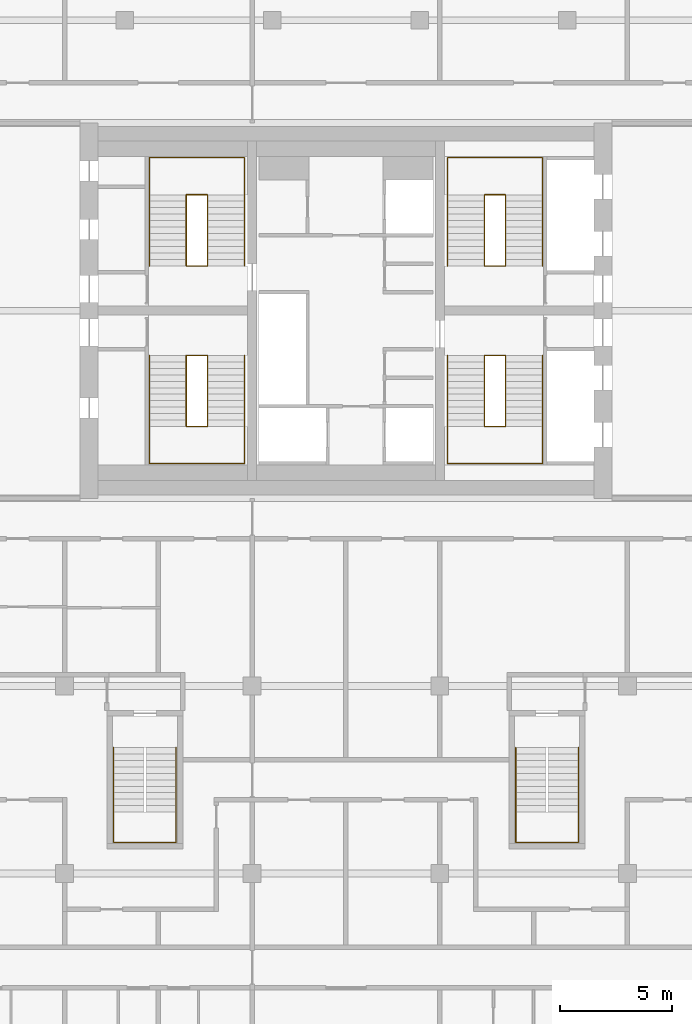
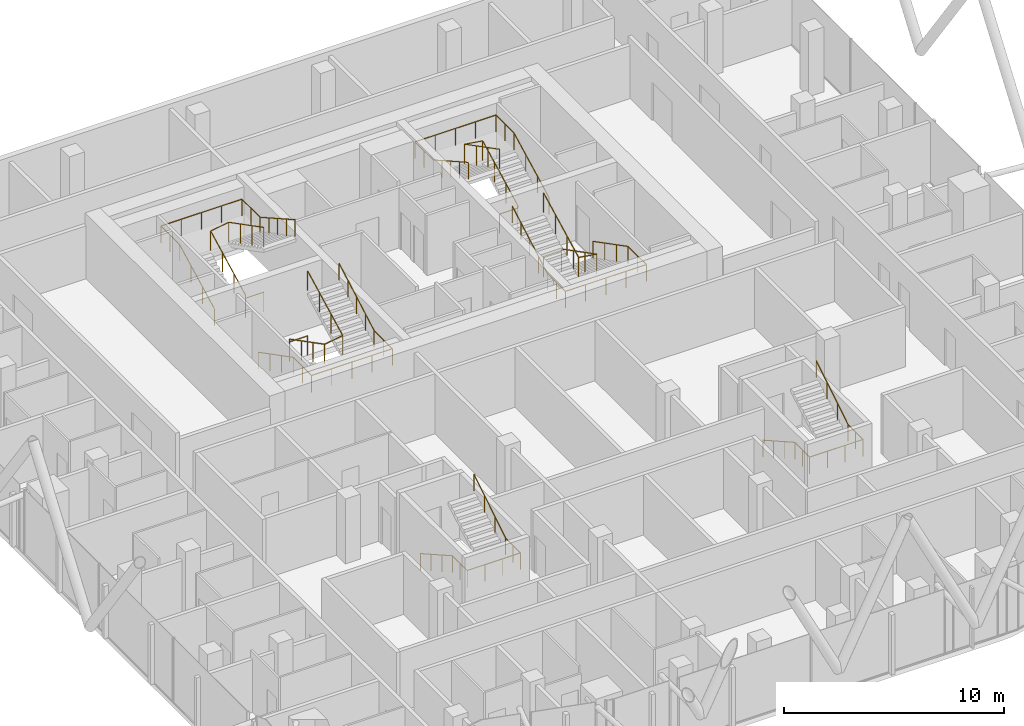
# One storey, part 31 of 31: 10 railings.
"""IFC4 building model written with IfcOpenShell, lengths in metres."""

from ifc_helpers import new_model, si_unit, direction, frame, origin, origin_2d, place, context, subcontext, project, spatial, circle, extrude, material, type_object, element, save


model = new_model("IFC4")

# Units and contexts
model_context = context("Model", 3, precision=1e-05, world=origin(), true_north=direction((0.0, 1.0)))
body_context = subcontext(model_context, "Body", "Model", "MODEL_VIEW")
ifc_project = project(units=[si_unit("LENGTHUNIT", "METRE"), si_unit("AREAUNIT", "SQUARE_METRE"), si_unit("VOLUMEUNIT", "CUBIC_METRE"), si_unit("PLANEANGLEUNIT", "RADIAN"), si_unit("MASSUNIT", "GRAM", prefix="KILO")], contexts=[model_context])

# Site, building, storey
site_placement = place(None, origin())
site = spatial("IfcSite", under=ifc_project, at=site_placement, CompositionType="ELEMENT")
building_placement = place(site_placement, origin())
building = spatial("IfcBuilding", under=site, at=building_placement, Name="Marenta Gate Hotel Tower", CompositionType="ELEMENT")
storey_placement = place(building_placement, frame((0.0, 0.0, 191.300048828125)))
storey = spatial("IfcBuildingStorey", under=building, at=storey_placement, Name="L43", CompositionType="ELEMENT", Elevation=191.300048828125)

# Railings
ifc_material_1 = material(Name="Stainless steel", Category="steel")
railing_type_1 = type_object("IfcRailingType", Name="Core stair handrail 950", PredefinedType="HANDRAIL", material=ifc_material_1)
railing_1_placement = place(storey_placement, frame((-8.800048828125, 6.39990234375, 0.14990234375)))
element("IfcRailing", 1, at=railing_1_placement, inside=storey, type_object=railing_type_1, Name="HR-950 L43-KR-ST1-1", PredefinedType="HANDRAIL", context=body_context, shape_type="SweptSolid", body=[
    extrude(circle(Radius=0.02392578125, at=origin_2d()), frame((0.0, 0.0, 0.92578125), z_axis=(0.0, -0.888197555067, 0.459461753765), x_axis=(1.0, 0.0, 0.0)), (0.0, 0.0, 1.0), 3.591552734375),
    extrude(circle(Radius=0.02392578125, at=origin_2d()), frame((0.0, -3.18994140625, 2.576171875), z_axis=(0.0, -1.0, 0.0), x_axis=(1.0, 0.0, 0.0)), (0.0, 0.0, 1.0), 1.659912109375),
    extrude(circle(Radius=0.02392578125, at=origin_2d()), frame((0.0, -4.849853515625, 2.576171875), z_axis=(1.0, 0.0, 0.0), x_axis=(0.0, 1.0, 0.0)), (0.0, 0.0, 1.0), 4.25),
    extrude(circle(Radius=0.02392578125, at=origin_2d()), frame((4.25, -4.849853515625, 2.576171875), z_axis=(0.0, 1.0, 0.0), x_axis=(-1.0, 0.0, 0.0)), (0.0, 0.0, 1.0), 1.659912109375),
    extrude(circle(Radius=0.02392578125, at=origin_2d()), frame((4.25, -3.18994140625, 2.576171875), z_axis=(0.0, 0.870937506535, 0.491393792911), x_axis=(-1.0, 0.0, 0.0)), (0.0, 0.0, 1.0), 3.66259765625),
    extrude(circle(Radius=0.02099609375, at=origin_2d()), origin(), (0.0, 0.0, 1.0), 0.90185546875),
    extrude(circle(Radius=0.02099609375, at=origin_2d()), frame((0.0, -1.063232421875, 0.550048828125)), (0.0, 0.0, 1.0), 0.90185546875),
    extrude(circle(Radius=0.02099609375, at=origin_2d()), frame((0.0, -2.126708984375, 1.10009765625)), (0.0, 0.0, 1.0), 0.90185546875),
    extrude(circle(Radius=0.02099609375, at=origin_2d()), frame((0.0, -3.18994140625, 1.650146484375)), (0.0, 0.0, 1.0), 0.90185546875),
    extrude(circle(Radius=0.02099609375, at=origin_2d()), frame((0.0, -4.02001953125, 1.650146484375)), (0.0, 0.0, 1.0), 0.90185546875),
    extrude(circle(Radius=0.02099609375, at=origin_2d()), frame((0.0, -4.849853515625, 1.650146484375)), (0.0, 0.0, 1.0), 0.90185546875),
    extrude(circle(Radius=0.02099609375, at=origin_2d()), frame((1.0625, -4.849853515625, 1.650146484375)), (0.0, 0.0, 1.0), 0.90185546875),
    extrude(circle(Radius=0.02099609375, at=origin_2d()), frame((2.125, -4.849853515625, 1.650146484375)), (0.0, 0.0, 1.0), 0.90185546875),
    extrude(circle(Radius=0.02099609375, at=origin_2d()), frame((3.1875, -4.849853515625, 1.650146484375)), (0.0, 0.0, 1.0), 0.90185546875),
    extrude(circle(Radius=0.02099609375, at=origin_2d()), frame((4.25, -4.849853515625, 1.650146484375)), (0.0, 0.0, 1.0), 0.90185546875),
    extrude(circle(Radius=0.02099609375, at=origin_2d()), frame((4.25, -4.02001953125, 1.650146484375)), (0.0, 0.0, 1.0), 0.90185546875),
    extrude(circle(Radius=0.02099609375, at=origin_2d()), frame((4.25, -3.18994140625, 1.650146484375)), (0.0, 0.0, 1.0), 0.90185546875),
    extrude(circle(Radius=0.02099609375, at=origin_2d()), frame((4.25, -2.392578125, 2.10009765625)), (0.0, 0.0, 1.0), 0.90185546875),
    extrude(circle(Radius=0.02099609375, at=origin_2d()), frame((4.25, -1.594970703125, 2.550048828125)), (0.0, 0.0, 1.0), 0.90185546875),
    extrude(circle(Radius=0.02099609375, at=origin_2d()), frame((4.25, -0.79736328125, 3.0)), (0.0, 0.0, 1.0), 0.90185546875),
    extrude(circle(Radius=0.02099609375, at=origin_2d()), frame((4.25, 0.0, 3.449951171875)), (0.0, 0.0, 1.0), 0.90185546875),
])
railing_2_placement = place(storey_placement, frame((-8.800048828125, 10.39990234375, 0.14990234375)))
element("IfcRailing", 2, at=railing_2_placement, inside=storey, type_object=railing_type_1, Name="HR-950 L43-KR-ST2-1", PredefinedType="HANDRAIL", context=body_context, shape_type="SweptSolid", body=[
    extrude(circle(Radius=0.02392578125, at=origin_2d()), frame((0.0, 0.0, 0.92578125), z_axis=(0.0, 0.888211904222, 0.459434013977), x_axis=(-1.0, 0.0, 0.0)), (0.0, 0.0, 1.0), 3.591796875),
    extrude(circle(Radius=0.02392578125, at=origin_2d()), frame((0.0, 3.190185546875, 2.576171875), z_axis=(0.0, 1.0, 0.0), x_axis=(-1.0, 0.0, 0.0)), (0.0, 0.0, 1.0), 1.659912109375),
    extrude(circle(Radius=0.02392578125, at=origin_2d()), frame((0.0, 4.85009765625, 2.576171875), z_axis=(1.0, 0.0, 0.0), x_axis=(0.0, 1.0, 0.0)), (0.0, 0.0, 1.0), 4.25),
    extrude(circle(Radius=0.02392578125, at=origin_2d()), frame((4.25, 4.85009765625, 2.576171875), z_axis=(0.0, -1.0, 0.0), x_axis=(1.0, 0.0, 0.0)), (0.0, 0.0, 1.0), 1.659912109375),
    extrude(circle(Radius=0.02392578125, at=origin_2d()), frame((4.25, 3.190185546875, 2.576171875), z_axis=(0.0, -0.870953600603, 0.491365266982), x_axis=(1.0, 0.0, 0.0)), (0.0, 0.0, 1.0), 3.662841796875),
    extrude(circle(Radius=0.02099609375, at=origin_2d()), origin(), (0.0, 0.0, 1.0), 0.90185546875),
    extrude(circle(Radius=0.02099609375, at=origin_2d()), frame((0.0, 1.0634765625, 0.550048828125)), (0.0, 0.0, 1.0), 0.90185546875),
    extrude(circle(Radius=0.02099609375, at=origin_2d()), frame((0.0, 2.126708984375, 1.10009765625)), (0.0, 0.0, 1.0), 0.90185546875),
    extrude(circle(Radius=0.02099609375, at=origin_2d()), frame((0.0, 3.190185546875, 1.650146484375)), (0.0, 0.0, 1.0), 0.90185546875),
    extrude(circle(Radius=0.02099609375, at=origin_2d()), frame((0.0, 4.02001953125, 1.650146484375)), (0.0, 0.0, 1.0), 0.90185546875),
    extrude(circle(Radius=0.02099609375, at=origin_2d()), frame((0.0, 4.85009765625, 1.650146484375)), (0.0, 0.0, 1.0), 0.90185546875),
    extrude(circle(Radius=0.02099609375, at=origin_2d()), frame((1.0625, 4.85009765625, 1.650146484375)), (0.0, 0.0, 1.0), 0.90185546875),
    extrude(circle(Radius=0.02099609375, at=origin_2d()), frame((2.125, 4.85009765625, 1.650146484375)), (0.0, 0.0, 1.0), 0.90185546875),
    extrude(circle(Radius=0.02099609375, at=origin_2d()), frame((3.1875, 4.85009765625, 1.650146484375)), (0.0, 0.0, 1.0), 0.90185546875),
    extrude(circle(Radius=0.02099609375, at=origin_2d()), frame((4.25, 4.85009765625, 1.650146484375)), (0.0, 0.0, 1.0), 0.90185546875),
    extrude(circle(Radius=0.02099609375, at=origin_2d()), frame((4.25, 4.02001953125, 1.650146484375)), (0.0, 0.0, 1.0), 0.90185546875),
    extrude(circle(Radius=0.02099609375, at=origin_2d()), frame((4.25, 3.190185546875, 1.650146484375)), (0.0, 0.0, 1.0), 0.90185546875),
    extrude(circle(Radius=0.02099609375, at=origin_2d()), frame((4.25, 2.392578125, 2.10009765625)), (0.0, 0.0, 1.0), 0.90185546875),
    extrude(circle(Radius=0.02099609375, at=origin_2d()), frame((4.25, 1.59521484375, 2.550048828125)), (0.0, 0.0, 1.0), 0.90185546875),
    extrude(circle(Radius=0.02099609375, at=origin_2d()), frame((4.25, 0.797607421875, 3.0)), (0.0, 0.0, 1.0), 0.90185546875),
    extrude(circle(Radius=0.02099609375, at=origin_2d()), frame((4.25, 0.0, 3.449951171875)), (0.0, 0.0, 1.0), 0.90185546875),
])
railing_3_placement = place(storey_placement, frame((8.800048828125, 6.39990234375, 0.14990234375)))
element("IfcRailing", 3, at=railing_3_placement, inside=storey, type_object=railing_type_1, Name="HR-950 L43-KR-ST3-1", PredefinedType="HANDRAIL", context=body_context, shape_type="SweptSolid", body=[
    extrude(circle(Radius=0.02392578125, at=origin_2d()), frame((0.0, 0.0, 0.92578125), z_axis=(0.0, -0.888197555067, 0.459461753765), x_axis=(1.0, 0.0, 0.0)), (0.0, 0.0, 1.0), 3.591552734375),
    extrude(circle(Radius=0.02392578125, at=origin_2d()), frame((0.0, -3.18994140625, 2.576171875), z_axis=(0.0, -1.0, 0.0), x_axis=(1.0, 0.0, 0.0)), (0.0, 0.0, 1.0), 1.659912109375),
    extrude(circle(Radius=0.02392578125, at=origin_2d()), frame((0.0, -4.849853515625, 2.576171875), z_axis=(-1.0, 0.0, 0.0), x_axis=(0.0, -1.0, 0.0)), (0.0, 0.0, 1.0), 4.25),
    extrude(circle(Radius=0.02392578125, at=origin_2d()), frame((-4.25, -4.849853515625, 2.576171875), z_axis=(0.0, 1.0, 0.0), x_axis=(-1.0, 0.0, 0.0)), (0.0, 0.0, 1.0), 1.659912109375),
    extrude(circle(Radius=0.02392578125, at=origin_2d()), frame((-4.25, -3.18994140625, 2.576171875), z_axis=(0.0, 0.870937506535, 0.491393792911), x_axis=(-1.0, 0.0, 0.0)), (0.0, 0.0, 1.0), 3.66259765625),
    extrude(circle(Radius=0.02099609375, at=origin_2d()), origin(), (0.0, 0.0, 1.0), 0.90185546875),
    extrude(circle(Radius=0.02099609375, at=origin_2d()), frame((0.0, -1.063232421875, 0.550048828125)), (0.0, 0.0, 1.0), 0.90185546875),
    extrude(circle(Radius=0.02099609375, at=origin_2d()), frame((0.0, -2.126708984375, 1.10009765625)), (0.0, 0.0, 1.0), 0.90185546875),
    extrude(circle(Radius=0.02099609375, at=origin_2d()), frame((0.0, -3.18994140625, 1.650146484375)), (0.0, 0.0, 1.0), 0.90185546875),
    extrude(circle(Radius=0.02099609375, at=origin_2d()), frame((0.0, -4.02001953125, 1.650146484375)), (0.0, 0.0, 1.0), 0.90185546875),
    extrude(circle(Radius=0.02099609375, at=origin_2d()), frame((0.0, -4.849853515625, 1.650146484375)), (0.0, 0.0, 1.0), 0.90185546875),
    extrude(circle(Radius=0.02099609375, at=origin_2d()), frame((-1.0625, -4.849853515625, 1.650146484375)), (0.0, 0.0, 1.0), 0.90185546875),
    extrude(circle(Radius=0.02099609375, at=origin_2d()), frame((-2.125, -4.849853515625, 1.650146484375)), (0.0, 0.0, 1.0), 0.90185546875),
    extrude(circle(Radius=0.02099609375, at=origin_2d()), frame((-3.1875, -4.849853515625, 1.650146484375)), (0.0, 0.0, 1.0), 0.90185546875),
    extrude(circle(Radius=0.02099609375, at=origin_2d()), frame((-4.25, -4.849853515625, 1.650146484375)), (0.0, 0.0, 1.0), 0.90185546875),
    extrude(circle(Radius=0.02099609375, at=origin_2d()), frame((-4.25, -4.02001953125, 1.650146484375)), (0.0, 0.0, 1.0), 0.90185546875),
    extrude(circle(Radius=0.02099609375, at=origin_2d()), frame((-4.25, -3.18994140625, 1.650146484375)), (0.0, 0.0, 1.0), 0.90185546875),
    extrude(circle(Radius=0.02099609375, at=origin_2d()), frame((-4.25, -2.392578125, 2.10009765625)), (0.0, 0.0, 1.0), 0.90185546875),
    extrude(circle(Radius=0.02099609375, at=origin_2d()), frame((-4.25, -1.594970703125, 2.550048828125)), (0.0, 0.0, 1.0), 0.90185546875),
    extrude(circle(Radius=0.02099609375, at=origin_2d()), frame((-4.25, -0.79736328125, 3.0)), (0.0, 0.0, 1.0), 0.90185546875),
    extrude(circle(Radius=0.02099609375, at=origin_2d()), frame((-4.25, 0.0, 3.449951171875)), (0.0, 0.0, 1.0), 0.90185546875),
])
railing_4_placement = place(storey_placement, frame((8.800048828125, 10.39990234375, 0.14990234375)))
element("IfcRailing", 4, at=railing_4_placement, inside=storey, type_object=railing_type_1, Name="HR-950 L43-KR-ST4-1", PredefinedType="HANDRAIL", context=body_context, shape_type="SweptSolid", body=[
    extrude(circle(Radius=0.02392578125, at=origin_2d()), frame((0.0, 0.0, 0.92578125), z_axis=(0.0, 0.888211904222, 0.459434013977), x_axis=(-1.0, 0.0, 0.0)), (0.0, 0.0, 1.0), 3.591796875),
    extrude(circle(Radius=0.02392578125, at=origin_2d()), frame((0.0, 3.190185546875, 2.576171875), z_axis=(0.0, 1.0, 0.0), x_axis=(-1.0, 0.0, 0.0)), (0.0, 0.0, 1.0), 1.659912109375),
    extrude(circle(Radius=0.02392578125, at=origin_2d()), frame((0.0, 4.85009765625, 2.576171875), z_axis=(-1.0, 0.0, 0.0), x_axis=(0.0, -1.0, 0.0)), (0.0, 0.0, 1.0), 4.25),
    extrude(circle(Radius=0.02392578125, at=origin_2d()), frame((-4.25, 4.85009765625, 2.576171875), z_axis=(0.0, -1.0, 0.0), x_axis=(1.0, 0.0, 0.0)), (0.0, 0.0, 1.0), 1.659912109375),
    extrude(circle(Radius=0.02392578125, at=origin_2d()), frame((-4.25, 3.190185546875, 2.576171875), z_axis=(0.0, -0.870953600603, 0.491365266982), x_axis=(1.0, 0.0, 0.0)), (0.0, 0.0, 1.0), 3.662841796875),
    extrude(circle(Radius=0.02099609375, at=origin_2d()), origin(), (0.0, 0.0, 1.0), 0.90185546875),
    extrude(circle(Radius=0.02099609375, at=origin_2d()), frame((0.0, 1.0634765625, 0.550048828125)), (0.0, 0.0, 1.0), 0.90185546875),
    extrude(circle(Radius=0.02099609375, at=origin_2d()), frame((0.0, 2.126708984375, 1.10009765625)), (0.0, 0.0, 1.0), 0.90185546875),
    extrude(circle(Radius=0.02099609375, at=origin_2d()), frame((0.0, 3.190185546875, 1.650146484375)), (0.0, 0.0, 1.0), 0.90185546875),
    extrude(circle(Radius=0.02099609375, at=origin_2d()), frame((0.0, 4.02001953125, 1.650146484375)), (0.0, 0.0, 1.0), 0.90185546875),
    extrude(circle(Radius=0.02099609375, at=origin_2d()), frame((0.0, 4.85009765625, 1.650146484375)), (0.0, 0.0, 1.0), 0.90185546875),
    extrude(circle(Radius=0.02099609375, at=origin_2d()), frame((-1.0625, 4.85009765625, 1.650146484375)), (0.0, 0.0, 1.0), 0.90185546875),
    extrude(circle(Radius=0.02099609375, at=origin_2d()), frame((-2.125, 4.85009765625, 1.650146484375)), (0.0, 0.0, 1.0), 0.90185546875),
    extrude(circle(Radius=0.02099609375, at=origin_2d()), frame((-3.1875, 4.85009765625, 1.650146484375)), (0.0, 0.0, 1.0), 0.90185546875),
    extrude(circle(Radius=0.02099609375, at=origin_2d()), frame((-4.25, 4.85009765625, 1.650146484375)), (0.0, 0.0, 1.0), 0.90185546875),
    extrude(circle(Radius=0.02099609375, at=origin_2d()), frame((-4.25, 4.02001953125, 1.650146484375)), (0.0, 0.0, 1.0), 0.90185546875),
    extrude(circle(Radius=0.02099609375, at=origin_2d()), frame((-4.25, 3.190185546875, 1.650146484375)), (0.0, 0.0, 1.0), 0.90185546875),
    extrude(circle(Radius=0.02099609375, at=origin_2d()), frame((-4.25, 2.392578125, 2.10009765625)), (0.0, 0.0, 1.0), 0.90185546875),
    extrude(circle(Radius=0.02099609375, at=origin_2d()), frame((-4.25, 1.59521484375, 2.550048828125)), (0.0, 0.0, 1.0), 0.90185546875),
    extrude(circle(Radius=0.02099609375, at=origin_2d()), frame((-4.25, 0.797607421875, 3.0)), (0.0, 0.0, 1.0), 0.90185546875),
    extrude(circle(Radius=0.02099609375, at=origin_2d()), frame((-4.25, 0.0, 3.449951171875)), (0.0, 0.0, 1.0), 0.90185546875),
])
railing_5_placement = place(storey_placement, frame((-10.39990234375, -11.14990234375, 0.16357421875)))
element("IfcRailing", 5, at=railing_5_placement, inside=storey, type_object=railing_type_1, Name="HR-950 L43-RS-Z3-1-KR-1", PredefinedType="HANDRAIL", context=body_context, shape_type="SweptSolid", body=[
    extrude(circle(Radius=0.02392578125, at=origin_2d()), frame((0.0, 0.0, 0.92578125), z_axis=(0.0, -0.870914908162, 0.491433843708), x_axis=(1.0, 0.0, 0.0)), (0.0, 0.0, 1.0), 3.330078125),
    extrude(circle(Radius=0.02392578125, at=origin_2d()), frame((0.0, -2.900146484375, 2.5625), z_axis=(0.0, -1.0, 0.0), x_axis=(1.0, 0.0, 0.0)), (0.0, 0.0, 1.0), 1.349853515625),
    extrude(circle(Radius=0.02392578125, at=origin_2d()), frame((0.0, -4.25, 2.5625), z_axis=(1.0, 0.0, 0.0), x_axis=(0.0, 1.0, 0.0)), (0.0, 0.0, 1.0), 2.7998046875),
    extrude(circle(Radius=0.02392578125, at=origin_2d()), frame((2.7998046875, -4.25, 2.5625), z_axis=(0.0, 1.0, 0.0), x_axis=(-1.0, 0.0, 0.0)), (0.0, 0.0, 1.0), 1.349853515625),
    extrude(circle(Radius=0.02392578125, at=origin_2d()), frame((2.7998046875, -2.900146484375, 2.5625), z_axis=(0.0, 0.849677739116, 0.527302322819), x_axis=(-1.0, 0.0, 0.0)), (0.0, 0.0, 1.0), 3.413330078125),
    extrude(circle(Radius=0.02099609375, at=origin_2d()), origin(), (0.0, 0.0, 1.0), 0.90185546875),
    extrude(circle(Radius=0.02099609375, at=origin_2d()), frame((0.0, -0.966796875, 0.54541015625)), (0.0, 0.0, 1.0), 0.90185546875),
    extrude(circle(Radius=0.02099609375, at=origin_2d()), frame((0.0, -1.933349609375, 1.091064453125)), (0.0, 0.0, 1.0), 0.90185546875),
    extrude(circle(Radius=0.02099609375, at=origin_2d()), frame((0.0, -2.900146484375, 1.636474609375)), (0.0, 0.0, 1.0), 0.90185546875),
    extrude(circle(Radius=0.02099609375, at=origin_2d()), frame((0.0, -3.5751953125, 1.636474609375)), (0.0, 0.0, 1.0), 0.90185546875),
    extrude(circle(Radius=0.02099609375, at=origin_2d()), frame((0.0, -4.25, 1.636474609375)), (0.0, 0.0, 1.0), 0.90185546875),
    extrude(circle(Radius=0.02099609375, at=origin_2d()), frame((0.933349609375, -4.25, 1.636474609375)), (0.0, 0.0, 1.0), 0.90185546875),
    extrude(circle(Radius=0.02099609375, at=origin_2d()), frame((1.866455078125, -4.25, 1.636474609375)), (0.0, 0.0, 1.0), 0.90185546875),
    extrude(circle(Radius=0.02099609375, at=origin_2d()), frame((2.7998046875, -4.25, 1.636474609375)), (0.0, 0.0, 1.0), 0.90185546875),
    extrude(circle(Radius=0.02099609375, at=origin_2d()), frame((2.7998046875, -3.5751953125, 1.636474609375)), (0.0, 0.0, 1.0), 0.90185546875),
    extrude(circle(Radius=0.02099609375, at=origin_2d()), frame((2.7998046875, -2.900146484375, 1.636474609375)), (0.0, 0.0, 1.0), 0.90185546875),
    extrude(circle(Radius=0.02099609375, at=origin_2d()), frame((2.7998046875, -1.933349609375, 2.236328125)), (0.0, 0.0, 1.0), 0.90185546875),
    extrude(circle(Radius=0.02099609375, at=origin_2d()), frame((2.7998046875, -0.966796875, 2.83642578125)), (0.0, 0.0, 1.0), 0.90185546875),
    extrude(circle(Radius=0.02099609375, at=origin_2d()), frame((2.7998046875, 0.0, 3.436279296875)), (0.0, 0.0, 1.0), 0.90185546875),
])
railing_6_placement = place(storey_placement, frame((7.60009765625, -11.14990234375, 0.16357421875)))
element("IfcRailing", 6, at=railing_6_placement, inside=storey, type_object=railing_type_1, Name="HR-950 L43-RS-Z3-2-KR-1", PredefinedType="HANDRAIL", context=body_context, shape_type="SweptSolid", body=[
    extrude(circle(Radius=0.02392578125, at=origin_2d()), frame((0.0, 0.0, 0.92578125), z_axis=(0.0, -0.870914908162, 0.491433843708), x_axis=(1.0, 0.0, 0.0)), (0.0, 0.0, 1.0), 3.330078125),
    extrude(circle(Radius=0.02392578125, at=origin_2d()), frame((0.0, -2.900146484375, 2.5625), z_axis=(0.0, -1.0, 0.0), x_axis=(1.0, 0.0, 0.0)), (0.0, 0.0, 1.0), 1.349853515625),
    extrude(circle(Radius=0.02392578125, at=origin_2d()), frame((0.0, -4.25, 2.5625), z_axis=(1.0, 0.0, 0.0), x_axis=(0.0, 1.0, 0.0)), (0.0, 0.0, 1.0), 2.7998046875),
    extrude(circle(Radius=0.02392578125, at=origin_2d()), frame((2.7998046875, -4.25, 2.5625), z_axis=(0.0, 1.0, 0.0), x_axis=(-1.0, 0.0, 0.0)), (0.0, 0.0, 1.0), 1.349853515625),
    extrude(circle(Radius=0.02392578125, at=origin_2d()), frame((2.7998046875, -2.900146484375, 2.5625), z_axis=(0.0, 0.849677739116, 0.527302322819), x_axis=(-1.0, 0.0, 0.0)), (0.0, 0.0, 1.0), 3.413330078125),
    extrude(circle(Radius=0.02099609375, at=origin_2d()), origin(), (0.0, 0.0, 1.0), 0.90185546875),
    extrude(circle(Radius=0.02099609375, at=origin_2d()), frame((0.0, -0.966796875, 0.54541015625)), (0.0, 0.0, 1.0), 0.90185546875),
    extrude(circle(Radius=0.02099609375, at=origin_2d()), frame((0.0, -1.933349609375, 1.091064453125)), (0.0, 0.0, 1.0), 0.90185546875),
    extrude(circle(Radius=0.02099609375, at=origin_2d()), frame((0.0, -2.900146484375, 1.636474609375)), (0.0, 0.0, 1.0), 0.90185546875),
    extrude(circle(Radius=0.02099609375, at=origin_2d()), frame((0.0, -3.5751953125, 1.636474609375)), (0.0, 0.0, 1.0), 0.90185546875),
    extrude(circle(Radius=0.02099609375, at=origin_2d()), frame((0.0, -4.25, 1.636474609375)), (0.0, 0.0, 1.0), 0.90185546875),
    extrude(circle(Radius=0.02099609375, at=origin_2d()), frame((0.933349609375, -4.25, 1.636474609375)), (0.0, 0.0, 1.0), 0.90185546875),
    extrude(circle(Radius=0.02099609375, at=origin_2d()), frame((1.866455078125, -4.25, 1.636474609375)), (0.0, 0.0, 1.0), 0.90185546875),
    extrude(circle(Radius=0.02099609375, at=origin_2d()), frame((2.7998046875, -4.25, 1.636474609375)), (0.0, 0.0, 1.0), 0.90185546875),
    extrude(circle(Radius=0.02099609375, at=origin_2d()), frame((2.7998046875, -3.5751953125, 1.636474609375)), (0.0, 0.0, 1.0), 0.90185546875),
    extrude(circle(Radius=0.02099609375, at=origin_2d()), frame((2.7998046875, -2.900146484375, 1.636474609375)), (0.0, 0.0, 1.0), 0.90185546875),
    extrude(circle(Radius=0.02099609375, at=origin_2d()), frame((2.7998046875, -1.933349609375, 2.236328125)), (0.0, 0.0, 1.0), 0.90185546875),
    extrude(circle(Radius=0.02099609375, at=origin_2d()), frame((2.7998046875, -0.966796875, 2.83642578125)), (0.0, 0.0, 1.0), 0.90185546875),
    extrude(circle(Radius=0.02099609375, at=origin_2d()), frame((2.7998046875, 0.0, 3.436279296875)), (0.0, 0.0, 1.0), 0.90185546875),
])
ifc_material_2 = material(Name="Stainless steel", Category="steel")
railing_type_2 = type_object("IfcRailingType", Name="Core stair well guard 1100", PredefinedType="GUARDRAIL", material=ifc_material_2)
railing_7_placement = place(storey_placement, frame((-6.199951171875, 6.39990234375, 0.0)))
element("IfcRailing", 7, at=railing_7_placement, inside=storey, type_object=railing_type_2, Name="GR-1100 L43-KR-ST1-2", PredefinedType="GUARDRAIL", context=body_context, shape_type="SweptSolid", body=[
    extrude(circle(Radius=0.02392578125, at=origin_2d()), frame((0.0, 0.0, 1.076171875), z_axis=(-1.0, 0.0, 0.0), x_axis=(0.0, -1.0, 0.0)), (0.0, 0.0, 1.0), 0.949951171875),
    extrude(circle(Radius=0.02392578125, at=origin_2d()), frame((-0.949951171875, 0.0, 1.076171875), z_axis=(0.0, 0.0, 1.0), x_axis=(1.0, 0.0, 0.0)), (0.0, 0.0, 1.0), 0.14990234375),
    extrude(circle(Radius=0.02392578125, at=origin_2d()), frame((-0.949951171875, 0.0, 1.22607421875), z_axis=(0.0, -0.888197555067, 0.459461753765), x_axis=(1.0, 0.0, 0.0)), (0.0, 0.0, 1.0), 3.591552734375),
    extrude(circle(Radius=0.02392578125, at=origin_2d()), frame((-0.949951171875, -3.18994140625, 2.8759765625), z_axis=(0.987777369502, 0.0, 0.15587131968), x_axis=(0.0, 1.0, 0.0)), (0.0, 0.0, 1.0), 0.961669921875),
    extrude(circle(Radius=0.02392578125, at=origin_2d()), frame((0.0, -3.18994140625, 3.02587890625), z_axis=(0.0, 0.888225295554, 0.459408123936), x_axis=(-1.0, 0.0, 0.0)), (0.0, 0.0, 1.0), 3.59130859375),
    extrude(circle(Radius=0.02099609375, at=origin_2d()), origin(), (0.0, 0.0, 1.0), 1.052001953125),
    extrude(circle(Radius=0.02099609375, at=origin_2d()), frame((-0.949951171875, 0.0, 0.0)), (0.0, 0.0, 1.0), 1.052001953125),
    extrude(circle(Radius=0.02099609375, at=origin_2d()), frame((-0.949951171875, 0.0, 0.14990234375)), (0.0, 0.0, 1.0), 1.052001953125),
    extrude(circle(Radius=0.02099609375, at=origin_2d()), frame((-0.949951171875, -1.063232421875, 0.699951171875)), (0.0, 0.0, 1.0), 1.052001953125),
    extrude(circle(Radius=0.02099609375, at=origin_2d()), frame((-0.949951171875, -2.126708984375, 1.25)), (0.0, 0.0, 1.0), 1.052001953125),
    extrude(circle(Radius=0.02099609375, at=origin_2d()), frame((-0.949951171875, -3.18994140625, 1.800048828125)), (0.0, 0.0, 1.0), 1.052001953125),
    extrude(circle(Radius=0.02099609375, at=origin_2d()), frame((0.0, -3.18994140625, 1.949951171875)), (0.0, 0.0, 1.0), 1.052001953125),
    extrude(circle(Radius=0.02099609375, at=origin_2d()), frame((0.0, -2.126708984375, 2.5)), (0.0, 0.0, 1.0), 1.052001953125),
    extrude(circle(Radius=0.02099609375, at=origin_2d()), frame((0.0, -1.063232421875, 3.0498046875)), (0.0, 0.0, 1.0), 1.052001953125),
    extrude(circle(Radius=0.02099609375, at=origin_2d()), frame((0.0, 0.0, 3.599853515625)), (0.0, 0.0, 1.0), 1.052001953125),
])
railing_8_placement = place(storey_placement, frame((-6.199951171875, 10.39990234375, 0.0)))
element("IfcRailing", 8, at=railing_8_placement, inside=storey, type_object=railing_type_2, Name="GR-1100 L43-KR-ST2-2", PredefinedType="GUARDRAIL", context=body_context, shape_type="SweptSolid", body=[
    extrude(circle(Radius=0.02392578125, at=origin_2d()), frame((0.0, 0.0, 1.076171875), z_axis=(-1.0, 0.0, 0.0), x_axis=(0.0, -1.0, 0.0)), (0.0, 0.0, 1.0), 0.949951171875),
    extrude(circle(Radius=0.02392578125, at=origin_2d()), frame((-0.949951171875, 0.0, 1.076171875), z_axis=(0.0, 0.0, 1.0), x_axis=(1.0, 0.0, 0.0)), (0.0, 0.0, 1.0), 0.14990234375),
    extrude(circle(Radius=0.02392578125, at=origin_2d()), frame((-0.949951171875, 0.0, 1.22607421875), z_axis=(0.0, 0.888211904222, 0.459434013977), x_axis=(-1.0, 0.0, 0.0)), (0.0, 0.0, 1.0), 3.591796875),
    extrude(circle(Radius=0.02392578125, at=origin_2d()), frame((-0.949951171875, 3.190185546875, 2.8759765625), z_axis=(0.987777369502, 0.0, 0.15587131968), x_axis=(0.0, 1.0, 0.0)), (0.0, 0.0, 1.0), 0.961669921875),
    extrude(circle(Radius=0.02392578125, at=origin_2d()), frame((0.0, 3.190185546875, 3.02587890625), z_axis=(0.0, -0.888239641807, 0.459380385653), x_axis=(1.0, 0.0, 0.0)), (0.0, 0.0, 1.0), 3.591552734375),
    extrude(circle(Radius=0.02099609375, at=origin_2d()), origin(), (0.0, 0.0, 1.0), 1.052001953125),
    extrude(circle(Radius=0.02099609375, at=origin_2d()), frame((-0.949951171875, 0.0, 0.0)), (0.0, 0.0, 1.0), 1.052001953125),
    extrude(circle(Radius=0.02099609375, at=origin_2d()), frame((-0.949951171875, 0.0, 0.14990234375)), (0.0, 0.0, 1.0), 1.052001953125),
    extrude(circle(Radius=0.02099609375, at=origin_2d()), frame((-0.949951171875, 1.0634765625, 0.699951171875)), (0.0, 0.0, 1.0), 1.052001953125),
    extrude(circle(Radius=0.02099609375, at=origin_2d()), frame((-0.949951171875, 2.126708984375, 1.25)), (0.0, 0.0, 1.0), 1.052001953125),
    extrude(circle(Radius=0.02099609375, at=origin_2d()), frame((-0.949951171875, 3.190185546875, 1.800048828125)), (0.0, 0.0, 1.0), 1.052001953125),
    extrude(circle(Radius=0.02099609375, at=origin_2d()), frame((0.0, 3.190185546875, 1.949951171875)), (0.0, 0.0, 1.0), 1.052001953125),
    extrude(circle(Radius=0.02099609375, at=origin_2d()), frame((0.0, 2.126708984375, 2.5)), (0.0, 0.0, 1.0), 1.052001953125),
    extrude(circle(Radius=0.02099609375, at=origin_2d()), frame((0.0, 1.0634765625, 3.0498046875)), (0.0, 0.0, 1.0), 1.052001953125),
    extrude(circle(Radius=0.02099609375, at=origin_2d()), frame((0.0, 0.0, 3.599853515625)), (0.0, 0.0, 1.0), 1.052001953125),
])
railing_9_placement = place(storey_placement, frame((6.199951171875, 6.39990234375, 0.0)))
element("IfcRailing", 9, at=railing_9_placement, inside=storey, type_object=railing_type_2, Name="GR-1100 L43-KR-ST3-2", PredefinedType="GUARDRAIL", context=body_context, shape_type="SweptSolid", body=[
    extrude(circle(Radius=0.02392578125, at=origin_2d()), frame((0.0, 0.0, 1.076171875), z_axis=(1.0, 0.0, 0.0), x_axis=(0.0, 1.0, 0.0)), (0.0, 0.0, 1.0), 0.949951171875),
    extrude(circle(Radius=0.02392578125, at=origin_2d()), frame((0.949951171875, 0.0, 1.076171875), z_axis=(0.0, 0.0, 1.0), x_axis=(1.0, 0.0, 0.0)), (0.0, 0.0, 1.0), 0.14990234375),
    extrude(circle(Radius=0.02392578125, at=origin_2d()), frame((0.949951171875, 0.0, 1.22607421875), z_axis=(0.0, -0.888197555067, 0.459461753765), x_axis=(1.0, 0.0, 0.0)), (0.0, 0.0, 1.0), 3.591552734375),
    extrude(circle(Radius=0.02392578125, at=origin_2d()), frame((0.949951171875, -3.18994140625, 2.8759765625), z_axis=(-0.987777369502, 0.0, 0.15587131968), x_axis=(0.0, -1.0, 0.0)), (0.0, 0.0, 1.0), 0.961669921875),
    extrude(circle(Radius=0.02392578125, at=origin_2d()), frame((0.0, -3.18994140625, 3.02587890625), z_axis=(0.0, 0.888225295554, 0.459408123936), x_axis=(-1.0, 0.0, 0.0)), (0.0, 0.0, 1.0), 3.59130859375),
    extrude(circle(Radius=0.02099609375, at=origin_2d()), origin(), (0.0, 0.0, 1.0), 1.052001953125),
    extrude(circle(Radius=0.02099609375, at=origin_2d()), frame((0.949951171875, 0.0, 0.0)), (0.0, 0.0, 1.0), 1.052001953125),
    extrude(circle(Radius=0.02099609375, at=origin_2d()), frame((0.949951171875, 0.0, 0.14990234375)), (0.0, 0.0, 1.0), 1.052001953125),
    extrude(circle(Radius=0.02099609375, at=origin_2d()), frame((0.949951171875, -1.063232421875, 0.699951171875)), (0.0, 0.0, 1.0), 1.052001953125),
    extrude(circle(Radius=0.02099609375, at=origin_2d()), frame((0.949951171875, -2.126708984375, 1.25)), (0.0, 0.0, 1.0), 1.052001953125),
    extrude(circle(Radius=0.02099609375, at=origin_2d()), frame((0.949951171875, -3.18994140625, 1.800048828125)), (0.0, 0.0, 1.0), 1.052001953125),
    extrude(circle(Radius=0.02099609375, at=origin_2d()), frame((0.0, -3.18994140625, 1.949951171875)), (0.0, 0.0, 1.0), 1.052001953125),
    extrude(circle(Radius=0.02099609375, at=origin_2d()), frame((0.0, -2.126708984375, 2.5)), (0.0, 0.0, 1.0), 1.052001953125),
    extrude(circle(Radius=0.02099609375, at=origin_2d()), frame((0.0, -1.063232421875, 3.0498046875)), (0.0, 0.0, 1.0), 1.052001953125),
    extrude(circle(Radius=0.02099609375, at=origin_2d()), frame((0.0, 0.0, 3.599853515625)), (0.0, 0.0, 1.0), 1.052001953125),
])
railing_10_placement = place(storey_placement, frame((6.199951171875, 10.39990234375, 0.0)))
element("IfcRailing", 10, at=railing_10_placement, inside=storey, type_object=railing_type_2, Name="GR-1100 L43-KR-ST4-2", PredefinedType="GUARDRAIL", context=body_context, shape_type="SweptSolid", body=[
    extrude(circle(Radius=0.02392578125, at=origin_2d()), frame((0.0, 0.0, 1.076171875), z_axis=(1.0, 0.0, 0.0), x_axis=(0.0, 1.0, 0.0)), (0.0, 0.0, 1.0), 0.949951171875),
    extrude(circle(Radius=0.02392578125, at=origin_2d()), frame((0.949951171875, 0.0, 1.076171875), z_axis=(0.0, 0.0, 1.0), x_axis=(1.0, 0.0, 0.0)), (0.0, 0.0, 1.0), 0.14990234375),
    extrude(circle(Radius=0.02392578125, at=origin_2d()), frame((0.949951171875, 0.0, 1.22607421875), z_axis=(0.0, 0.888211904222, 0.459434013977), x_axis=(-1.0, 0.0, 0.0)), (0.0, 0.0, 1.0), 3.591796875),
    extrude(circle(Radius=0.02392578125, at=origin_2d()), frame((0.949951171875, 3.190185546875, 2.8759765625), z_axis=(-0.987777369502, 0.0, 0.15587131968), x_axis=(0.0, -1.0, 0.0)), (0.0, 0.0, 1.0), 0.961669921875),
    extrude(circle(Radius=0.02392578125, at=origin_2d()), frame((0.0, 3.190185546875, 3.02587890625), z_axis=(0.0, -0.888239641807, 0.459380385653), x_axis=(1.0, 0.0, 0.0)), (0.0, 0.0, 1.0), 3.591552734375),
    extrude(circle(Radius=0.02099609375, at=origin_2d()), origin(), (0.0, 0.0, 1.0), 1.052001953125),
    extrude(circle(Radius=0.02099609375, at=origin_2d()), frame((0.949951171875, 0.0, 0.0)), (0.0, 0.0, 1.0), 1.052001953125),
    extrude(circle(Radius=0.02099609375, at=origin_2d()), frame((0.949951171875, 0.0, 0.14990234375)), (0.0, 0.0, 1.0), 1.052001953125),
    extrude(circle(Radius=0.02099609375, at=origin_2d()), frame((0.949951171875, 1.0634765625, 0.699951171875)), (0.0, 0.0, 1.0), 1.052001953125),
    extrude(circle(Radius=0.02099609375, at=origin_2d()), frame((0.949951171875, 2.126708984375, 1.25)), (0.0, 0.0, 1.0), 1.052001953125),
    extrude(circle(Radius=0.02099609375, at=origin_2d()), frame((0.949951171875, 3.190185546875, 1.800048828125)), (0.0, 0.0, 1.0), 1.052001953125),
    extrude(circle(Radius=0.02099609375, at=origin_2d()), frame((0.0, 3.190185546875, 1.949951171875)), (0.0, 0.0, 1.0), 1.052001953125),
    extrude(circle(Radius=0.02099609375, at=origin_2d()), frame((0.0, 2.126708984375, 2.5)), (0.0, 0.0, 1.0), 1.052001953125),
    extrude(circle(Radius=0.02099609375, at=origin_2d()), frame((0.0, 1.0634765625, 3.0498046875)), (0.0, 0.0, 1.0), 1.052001953125),
    extrude(circle(Radius=0.02099609375, at=origin_2d()), frame((0.0, 0.0, 3.599853515625)), (0.0, 0.0, 1.0), 1.052001953125),
])

save(model, "model.ifc")
